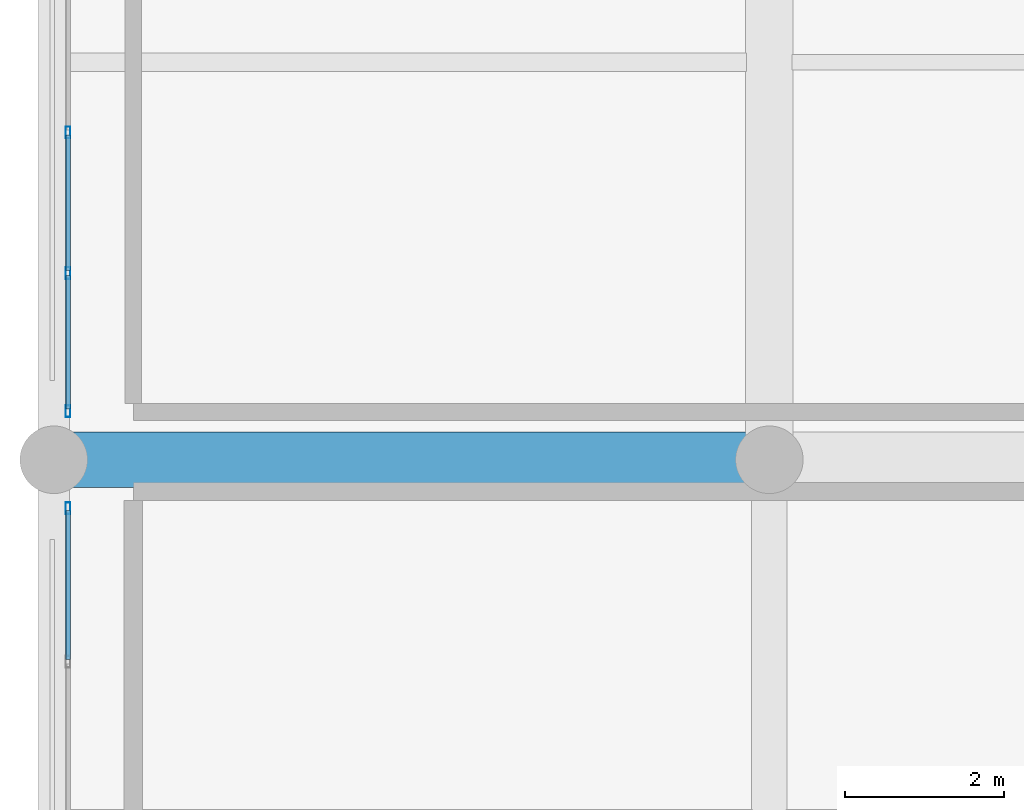
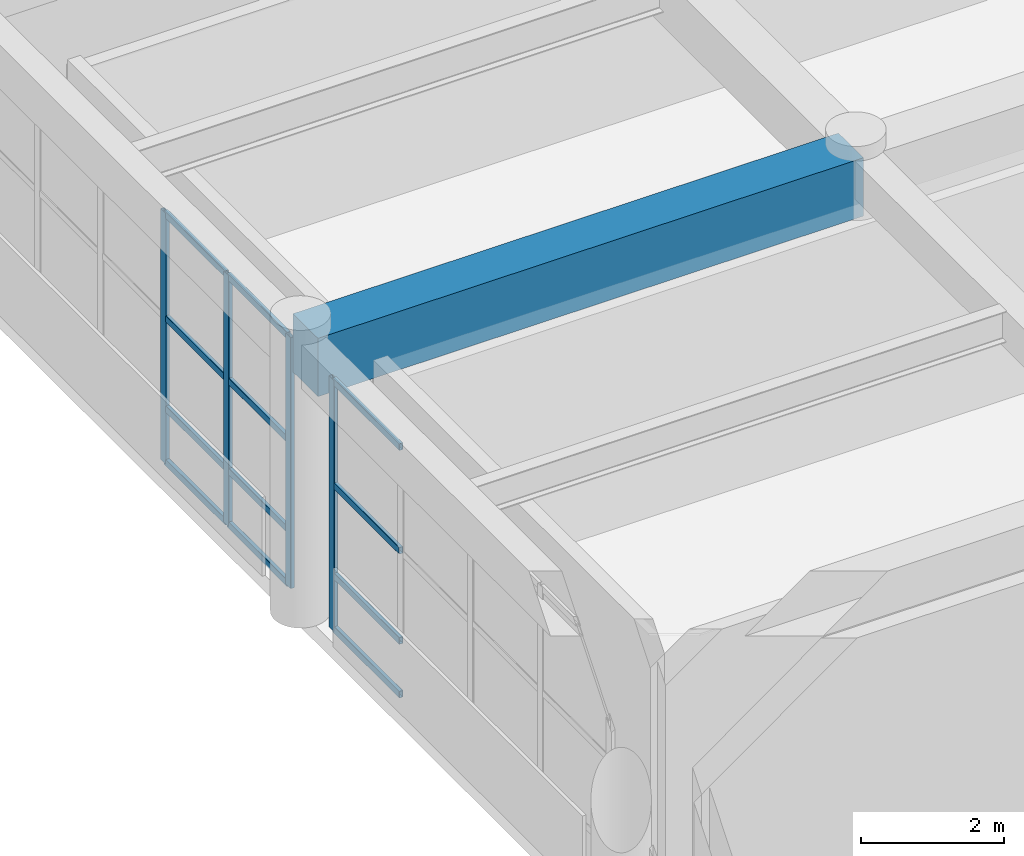
# One storey, part 20 of 128: 16 members, 1 beam, 2 elements without a shape of their own.
"""IFC4 building model written with IfcOpenShell, lengths in metres."""

from ifc_helpers import new_model, si_unit, direction, frame, origin, origin_2d, place, context, subcontext, project, spatial, rectangle, hollow_rectangle, extrude, material, material_profile, profile_set, type_object, element, aggregate, save


model = new_model("IFC4")

# Units and contexts
model_context = context("Model", 3, precision=1e-05, world=origin(), true_north=direction((0.0, 1.0)))
body_context = subcontext(model_context, "Body", "Model", "MODEL_VIEW")
ifc_project = project(units=[si_unit("LENGTHUNIT", "METRE"), si_unit("AREAUNIT", "SQUARE_METRE"), si_unit("VOLUMEUNIT", "CUBIC_METRE"), si_unit("PLANEANGLEUNIT", "RADIAN"), si_unit("MASSUNIT", "GRAM", prefix="KILO")], contexts=[model_context])

# Site, building, storey
site_placement = place(None, origin())
site = spatial("IfcSite", under=ifc_project, at=site_placement, CompositionType="ELEMENT")
building_placement = place(site_placement, origin())
building = spatial("IfcBuilding", under=site, at=building_placement, Name="Miravela Opera House", CompositionType="ELEMENT")
storey_placement = place(building_placement, origin())
storey = spatial("IfcBuildingStorey", under=building, at=storey_placement, Name="L00", CompositionType="ELEMENT", Elevation=0.0)

# Curtain wall, member
ifc_material_1 = material(Name="Anodised architectural bronze aluminium 6063-T6", Category="aluminium")
curtain_wall_type = type_object("IfcCurtainWallType", Name="ARC-CW-07", PredefinedType="NOTDEFINED", material=ifc_material_1)
curtain_wall_1_placement = place(storey_placement, origin())
curtain_wall_1 = element("IfcCurtainWall", 1, at=curtain_wall_1_placement, inside=storey, type_object=curtain_wall_type, Name="Courtyard Arcade Curtain Wall CW-L00-193", PredefinedType="NOTDEFINED")
ifc_material_profile_1 = material_profile(ifc_material_1, hollow_rectangle(XDim=0.06005859375, YDim=0.14990234375, WallThickness=0.00390625, InnerFilletRadius=0.001953125, OuterFilletRadius=0.00390625, at=origin_2d()), Name="CWM-60X150")
ifc_profile_set_1 = profile_set([ifc_material_profile_1])
member_type_1 = type_object("IfcMemberType", Name="ARC-CWM-150", PredefinedType="MULLION", material=ifc_profile_set_1)
member_1_placement = place(storey_placement, frame((0.179931640625, 17.389892578125, 0.0), z_axis=(0.0, 0.0, 1.0), x_axis=(-1.0, 0.0, 0.0)))
member_1 = element("IfcMember", 2, at=member_1_placement, type_object=member_type_1, Name="CW-07 mullion 5", PredefinedType="MULLION", context=body_context, shape_type="SweptSolid", body=[
    extrude(hollow_rectangle(XDim=0.06005859375, YDim=0.14990234375, WallThickness=0.00390625, InnerFilletRadius=0.001953125, OuterFilletRadius=0.00390625, at=origin_2d()), origin(), (0.0, 0.0, 1.0), 4.300048828125),
])

# Curtain wall, members
curtain_wall_2_placement = place(storey_placement, origin())
curtain_wall_2 = element("IfcCurtainWall", 3, at=curtain_wall_2_placement, inside=storey, type_object=curtain_wall_type, Name="Courtyard Arcade Curtain Wall CW-L00-194", PredefinedType="NOTDEFINED")
member_2_placement = place(storey_placement, frame((0.179931640625, 18.610107421875, 0.0), z_axis=(0.0, 0.0, 1.0), x_axis=(-1.0, 0.0, 0.0)))
member_2 = element("IfcMember", 4, at=member_2_placement, type_object=member_type_1, Name="CW-07 mullion 1", PredefinedType="MULLION", context=body_context, shape_type="SweptSolid", body=[
    extrude(hollow_rectangle(XDim=0.06005859375, YDim=0.14990234375, WallThickness=0.00390625, InnerFilletRadius=0.001953125, OuterFilletRadius=0.00390625, at=origin_2d()), origin(), (0.0, 0.0, 1.0), 4.300048828125),
])
member_3_placement = place(storey_placement, frame((0.179931640625, 20.347900390625, 0.0), z_axis=(0.0, 0.0, 1.0), x_axis=(-1.0, 0.0, 0.0)))
member_3 = element("IfcMember", 5, at=member_3_placement, type_object=member_type_1, Name="CW-07 mullion 2", PredefinedType="MULLION", context=body_context, shape_type="SweptSolid", body=[
    extrude(hollow_rectangle(XDim=0.06005859375, YDim=0.14990234375, WallThickness=0.00390625, InnerFilletRadius=0.001953125, OuterFilletRadius=0.00390625, at=origin_2d()), origin(), (0.0, 0.0, 1.0), 4.300048828125),
])
member_4_placement = place(storey_placement, frame((0.179931640625, 22.115966796875, 0.0), z_axis=(0.0, 0.0, 1.0), x_axis=(-1.0, 0.0, 0.0)))
member_4 = element("IfcMember", 6, at=member_4_placement, type_object=member_type_1, Name="CW-07 mullion 3", PredefinedType="MULLION", context=body_context, shape_type="SweptSolid", body=[
    extrude(hollow_rectangle(XDim=0.06005859375, YDim=0.14990234375, WallThickness=0.00390625, InnerFilletRadius=0.001953125, OuterFilletRadius=0.00390625, at=origin_2d()), origin(), (0.0, 0.0, 1.0), 4.300048828125),
])

# Member
ifc_material_profile_2 = material_profile(ifc_material_1, hollow_rectangle(XDim=0.06005859375, YDim=0.114990234375, WallThickness=0.00390625, InnerFilletRadius=0.001953125, OuterFilletRadius=0.00390625, at=origin_2d()), Name="CWT-60X115")
ifc_profile_set_2 = profile_set([ifc_material_profile_2])
member_type_2 = type_object("IfcMemberType", Name="ARC-CWT-115", PredefinedType="USERDEFINED", material=ifc_profile_set_2)
member_5_placement = place(storey_placement, frame((0.179931640625, 15.489990234375, 0.030029296875), z_axis=(0.0, 1.0, 0.0), x_axis=(-1.0, 0.0, 0.0)))
member_5 = element("IfcMember", 7, at=member_5_placement, type_object=member_type_2, Name="CW-07 transom 4.1", ObjectType="TRANSOM", PredefinedType="USERDEFINED", context=body_context, shape_type="SweptSolid", body=[
    extrude(hollow_rectangle(XDim=0.06005859375, YDim=0.114990234375, WallThickness=0.00390625, InnerFilletRadius=0.001953125, OuterFilletRadius=0.00390625, at=origin_2d()), origin(), (0.0, 0.0, 1.0), 1.8701171875),
])

member_6_placement = place(storey_placement, frame((0.179931640625, 15.489990234375, 0.949951171875), z_axis=(0.0, 1.0, 0.0), x_axis=(-1.0, 0.0, 0.0)))
member_6 = element("IfcMember", 8, at=member_6_placement, type_object=member_type_2, Name="CW-07 transom 4.2", ObjectType="TRANSOM", PredefinedType="USERDEFINED", context=body_context, shape_type="SweptSolid", body=[
    extrude(hollow_rectangle(XDim=0.06005859375, YDim=0.114990234375, WallThickness=0.00390625, InnerFilletRadius=0.001953125, OuterFilletRadius=0.00390625, at=origin_2d()), origin(), (0.0, 0.0, 1.0), 1.8701171875),
])

member_7_placement = place(storey_placement, frame((0.179931640625, 15.489990234375, 2.493896484375), z_axis=(0.0, 1.0, 0.0), x_axis=(-1.0, 0.0, 0.0)))
member_7 = element("IfcMember", 9, at=member_7_placement, type_object=member_type_2, Name="CW-07 transom 4.3", ObjectType="TRANSOM", PredefinedType="USERDEFINED", context=body_context, shape_type="SweptSolid", body=[
    extrude(hollow_rectangle(XDim=0.06005859375, YDim=0.114990234375, WallThickness=0.00390625, InnerFilletRadius=0.001953125, OuterFilletRadius=0.00390625, at=origin_2d()), origin(), (0.0, 0.0, 1.0), 1.8701171875),
])

member_8_placement = place(storey_placement, frame((0.179931640625, 15.489990234375, 4.27001953125), z_axis=(0.0, 1.0, 0.0), x_axis=(-1.0, 0.0, 0.0)))
member_8 = element("IfcMember", 10, at=member_8_placement, type_object=member_type_2, Name="CW-07 transom 4.4", ObjectType="TRANSOM", PredefinedType="USERDEFINED", context=body_context, shape_type="SweptSolid", body=[
    extrude(hollow_rectangle(XDim=0.06005859375, YDim=0.114990234375, WallThickness=0.00390625, InnerFilletRadius=0.001953125, OuterFilletRadius=0.00390625, at=origin_2d()), origin(), (0.0, 0.0, 1.0), 1.8701171875),
])

aggregate(curtain_wall_1, [member_1, member_5, member_6, member_7, member_8])

member_9_placement = place(storey_placement, frame((0.179931640625, 18.639892578125, 0.030029296875), z_axis=(0.0, 1.0, 0.0), x_axis=(-1.0, 0.0, 0.0)))
member_9 = element("IfcMember", 11, at=member_9_placement, type_object=member_type_2, Name="CW-07 transom 1.1", ObjectType="TRANSOM", PredefinedType="USERDEFINED", context=body_context, shape_type="SweptSolid", body=[
    extrude(hollow_rectangle(XDim=0.06005859375, YDim=0.114990234375, WallThickness=0.00390625, InnerFilletRadius=0.001953125, OuterFilletRadius=0.00390625, at=origin_2d()), origin(), (0.0, 0.0, 1.0), 1.67822265625),
])

member_10_placement = place(storey_placement, frame((0.179931640625, 18.639892578125, 0.949951171875), z_axis=(0.0, 1.0, 0.0), x_axis=(-1.0, 0.0, 0.0)))
member_10 = element("IfcMember", 12, at=member_10_placement, type_object=member_type_2, Name="CW-07 transom 1.2", ObjectType="TRANSOM", PredefinedType="USERDEFINED", context=body_context, shape_type="SweptSolid", body=[
    extrude(hollow_rectangle(XDim=0.06005859375, YDim=0.114990234375, WallThickness=0.00390625, InnerFilletRadius=0.001953125, OuterFilletRadius=0.00390625, at=origin_2d()), origin(), (0.0, 0.0, 1.0), 1.67822265625),
])

member_11_placement = place(storey_placement, frame((0.179931640625, 18.639892578125, 2.493896484375), z_axis=(0.0, 1.0, 0.0), x_axis=(-1.0, 0.0, 0.0)))
member_11 = element("IfcMember", 13, at=member_11_placement, type_object=member_type_2, Name="CW-07 transom 1.3", ObjectType="TRANSOM", PredefinedType="USERDEFINED", context=body_context, shape_type="SweptSolid", body=[
    extrude(hollow_rectangle(XDim=0.06005859375, YDim=0.114990234375, WallThickness=0.00390625, InnerFilletRadius=0.001953125, OuterFilletRadius=0.00390625, at=origin_2d()), origin(), (0.0, 0.0, 1.0), 1.67822265625),
])

member_12_placement = place(storey_placement, frame((0.179931640625, 18.639892578125, 4.27001953125), z_axis=(0.0, 1.0, 0.0), x_axis=(-1.0, 0.0, 0.0)))
member_12 = element("IfcMember", 14, at=member_12_placement, type_object=member_type_2, Name="CW-07 transom 1.4", ObjectType="TRANSOM", PredefinedType="USERDEFINED", context=body_context, shape_type="SweptSolid", body=[
    extrude(hollow_rectangle(XDim=0.06005859375, YDim=0.114990234375, WallThickness=0.00390625, InnerFilletRadius=0.001953125, OuterFilletRadius=0.00390625, at=origin_2d()), origin(), (0.0, 0.0, 1.0), 1.67822265625),
])

member_13_placement = place(storey_placement, frame((0.179931640625, 20.3779296875, 0.030029296875), z_axis=(0.0, 1.0, 0.0), x_axis=(-1.0, 0.0, 0.0)))
member_13 = element("IfcMember", 15, at=member_13_placement, type_object=member_type_2, Name="CW-07 transom 2.1", ObjectType="TRANSOM", PredefinedType="USERDEFINED", context=body_context, shape_type="SweptSolid", body=[
    extrude(hollow_rectangle(XDim=0.06005859375, YDim=0.114990234375, WallThickness=0.00390625, InnerFilletRadius=0.001953125, OuterFilletRadius=0.00390625, at=origin_2d()), origin(), (0.0, 0.0, 1.0), 1.7080078125),
])

member_14_placement = place(storey_placement, frame((0.179931640625, 20.3779296875, 0.949951171875), z_axis=(0.0, 1.0, 0.0), x_axis=(-1.0, 0.0, 0.0)))
member_14 = element("IfcMember", 16, at=member_14_placement, type_object=member_type_2, Name="CW-07 transom 2.2", ObjectType="TRANSOM", PredefinedType="USERDEFINED", context=body_context, shape_type="SweptSolid", body=[
    extrude(hollow_rectangle(XDim=0.06005859375, YDim=0.114990234375, WallThickness=0.00390625, InnerFilletRadius=0.001953125, OuterFilletRadius=0.00390625, at=origin_2d()), origin(), (0.0, 0.0, 1.0), 1.7080078125),
])

member_15_placement = place(storey_placement, frame((0.179931640625, 20.3779296875, 2.493896484375), z_axis=(0.0, 1.0, 0.0), x_axis=(-1.0, 0.0, 0.0)))
member_15 = element("IfcMember", 17, at=member_15_placement, type_object=member_type_2, Name="CW-07 transom 2.3", ObjectType="TRANSOM", PredefinedType="USERDEFINED", context=body_context, shape_type="SweptSolid", body=[
    extrude(hollow_rectangle(XDim=0.06005859375, YDim=0.114990234375, WallThickness=0.00390625, InnerFilletRadius=0.001953125, OuterFilletRadius=0.00390625, at=origin_2d()), origin(), (0.0, 0.0, 1.0), 1.7080078125),
])

member_16_placement = place(storey_placement, frame((0.179931640625, 20.3779296875, 4.27001953125), z_axis=(0.0, 1.0, 0.0), x_axis=(-1.0, 0.0, 0.0)))
member_16 = element("IfcMember", 18, at=member_16_placement, type_object=member_type_2, Name="CW-07 transom 2.4", ObjectType="TRANSOM", PredefinedType="USERDEFINED", context=body_context, shape_type="SweptSolid", body=[
    extrude(hollow_rectangle(XDim=0.06005859375, YDim=0.114990234375, WallThickness=0.00390625, InnerFilletRadius=0.001953125, OuterFilletRadius=0.00390625, at=origin_2d()), origin(), (0.0, 0.0, 1.0), 1.7080078125),
])

aggregate(curtain_wall_2, [member_2, member_3, member_4, member_9, member_10, member_11, member_12, member_13, member_14, member_15, member_16])

# Beam
ifc_material_2 = material(Name="Concrete C40/50", Category="concrete")
ifc_material_profile_3 = material_profile(ifc_material_2, rectangle(XDim=0.699951171875, YDim=1.0, at=origin_2d()), Name="RC-BM-700X1000")
ifc_profile_set_3 = profile_set([ifc_material_profile_3])
beam_type = type_object("IfcBeamType", Name="STR-BM-RC700X1000", PredefinedType="BEAM", material=ifc_profile_set_3)
beam_placement = place(storey_placement, frame((0.080078125, 18.0, 4.35009765625), z_axis=(1.0, 0.0, 0.0), x_axis=(0.0, 1.0, 0.0)))
element("IfcBeam", 19, at=beam_placement, inside=storey, type_object=beam_type, Name="Floor Girder L00 1-2/C", PredefinedType="BEAM", context=body_context, shape_type="SweptSolid", body=[
    extrude(rectangle(XDim=0.699951171875, YDim=1.0, at=origin_2d()), origin(), (0.0, 0.0, 1.0), 8.83984375),
])

save(model, "model.ifc")
